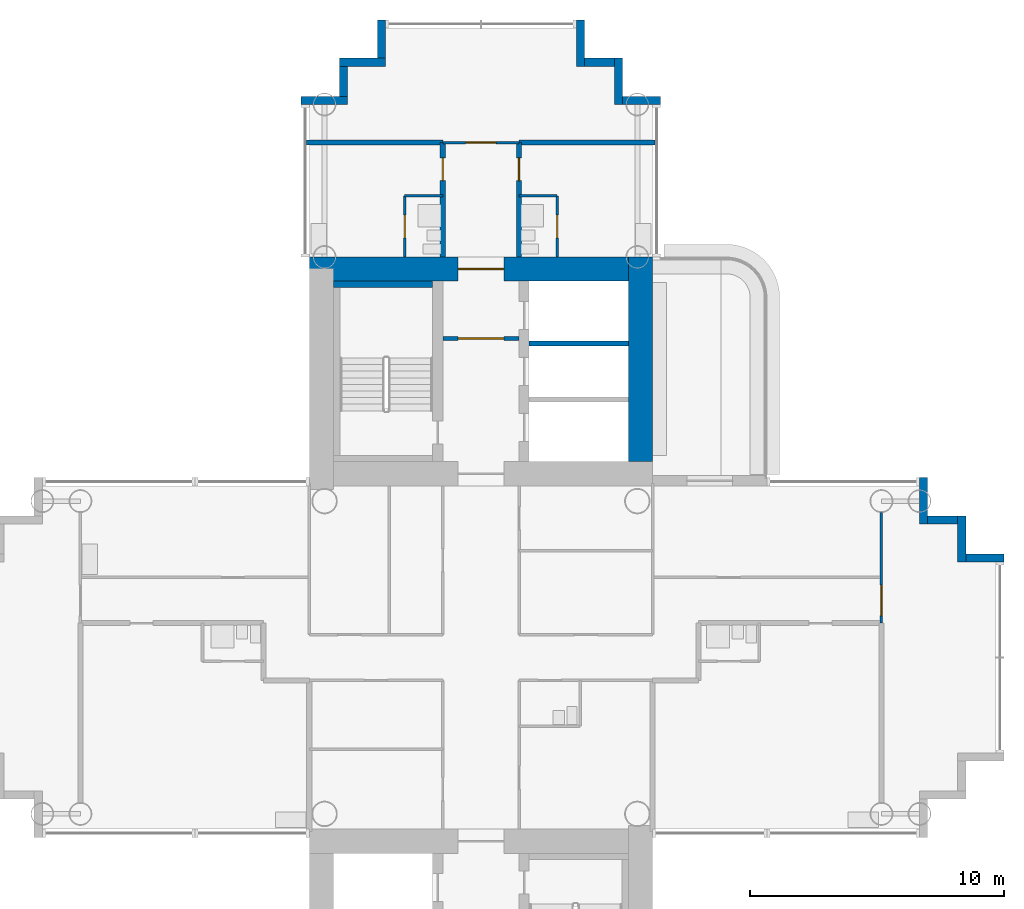
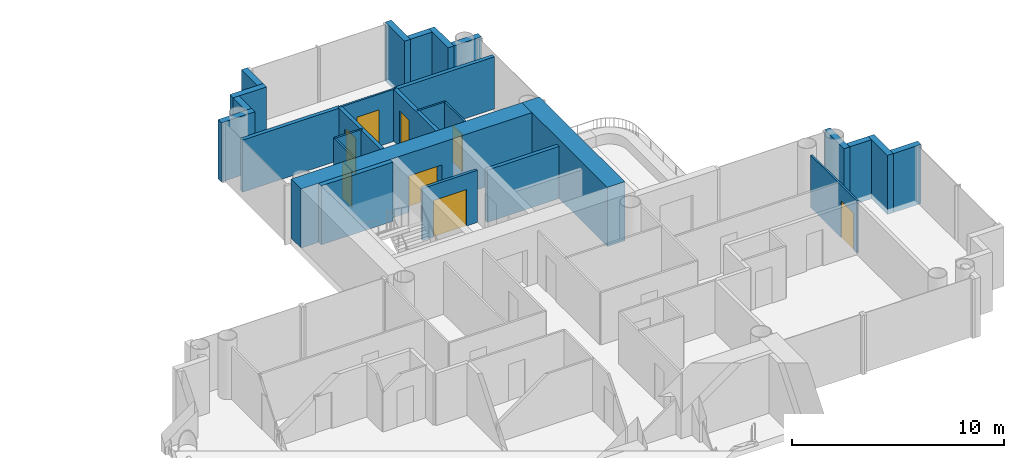
# One storey, part 14 of 21: 27 walls, 8 doors, 8 openings.
"""IFC4 building model written with IfcOpenShell, lengths in metres."""

from ifc_helpers import new_model, si_unit, direction, frame, frame_2d, origin, place, context, subcontext, project, spatial, rectangle, extrude, material, layer, layer_set, type_object, element, fill, save


model = new_model("IFC4")

# Units and contexts
model_context = context("Model", 3, precision=1e-05, world=origin(), true_north=direction((0.0, 1.0)))
body_context = subcontext(model_context, "Body", "Model", "MODEL_VIEW")
ifc_project = project(units=[si_unit("LENGTHUNIT", "METRE"), si_unit("AREAUNIT", "SQUARE_METRE"), si_unit("VOLUMEUNIT", "CUBIC_METRE"), si_unit("PLANEANGLEUNIT", "RADIAN"), si_unit("MASSUNIT", "GRAM", prefix="KILO")], contexts=[model_context])

# Site, building, storey
site_placement = place(None, origin())
site = spatial("IfcSite", under=ifc_project, at=site_placement, CompositionType="ELEMENT")
building_placement = place(site_placement, origin())
building = spatial("IfcBuilding", under=site, at=building_placement, Name="Ipe Terrace Towers", CompositionType="ELEMENT")
storey_placement = place(building_placement, frame((0.0, 0.0, 97.0)))
storey = spatial("IfcBuildingStorey", under=building, at=storey_placement, Name="L26", CompositionType="ELEMENT", Elevation=97.0)

# Walls
ifc_material_1 = material(Name="Concrete C40/50 with buff precast cladding", Category="concrete")
ifc_layer_1 = layer(ifc_material_1, 0.320068359375)
ifc_layer_set_1 = layer_set([ifc_layer_1], Name="BUFF CLADDING WALL 320")
wall_type_1 = type_object("IfcWallType", Name="BUFF CLADDING WALL 320", PredefinedType="STANDARD", material=ifc_layer_set_1)
wall_1_placement = place(storey_placement, frame((56.570068359375, 3.909912109375, -0.300048828125), z_axis=(0.0, 0.0, 1.0), x_axis=(-1.0, 0.0, 0.0)))
element("IfcWall", 1, at=wall_1_placement, inside=storey, type_object=wall_type_1, Name="T2-W-L26-09a wall", PredefinedType="STANDARD", context=body_context, shape_type="SweptSolid", body=[
    extrude(rectangle(XDim=1.5, YDim=0.320068359375, at=frame_2d((0.75, 0.0))), origin(), (0.0, 0.0, 1.0), 3.400146484375),
])
wall_2_placement = place(storey_placement, frame((54.909912109375, 3.75, -0.300048828125), z_axis=(0.0, 0.0, 1.0), x_axis=(0.0, 1.0, 0.0)))
element("IfcWall", 2, at=wall_2_placement, inside=storey, type_object=wall_type_1, Name="T2-W-L26-10a wall", PredefinedType="STANDARD", context=body_context, shape_type="SweptSolid", body=[
    extrude(rectangle(XDim=1.820068359375, YDim=0.320068359375, at=frame_2d((0.91015625, 0.0))), origin(), (0.0, 0.0, 1.0), 3.400146484375),
])
wall_3_placement = place(storey_placement, frame((54.75, 5.409912109375, -0.300048828125), z_axis=(0.0, 0.0, 1.0), x_axis=(-1.0, 0.0, 0.0)))
element("IfcWall", 3, at=wall_3_placement, inside=storey, type_object=wall_type_1, Name="T2-W-L26-11a wall", PredefinedType="STANDARD", context=body_context, shape_type="SweptSolid", body=[
    extrude(rectangle(XDim=1.179931640625, YDim=0.320068359375, at=frame_2d((0.58984375, 0.0))), origin(), (0.0, 0.0, 1.0), 3.400146484375),
])
wall_4_placement = place(storey_placement, frame((53.409912109375, 5.25, -0.300048828125), z_axis=(0.0, 0.0, 1.0), x_axis=(0.0, 1.0, 0.0)))
element("IfcWall", 4, at=wall_4_placement, inside=storey, type_object=wall_type_1, Name="T2-W-L26-12a wall", PredefinedType="STANDARD", context=body_context, shape_type="SweptSolid", body=[
    extrude(rectangle(XDim=1.820068359375, YDim=0.320068359375, at=frame_2d((0.91015625, 0.0))), origin(), (0.0, 0.0, 1.0), 3.400146484375),
])
wall_5_placement = place(storey_placement, frame((43.070068359375, 21.909912109375, -0.300048828125), z_axis=(0.0, 0.0, 1.0), x_axis=(-1.0, 0.0, 0.0)))
element("IfcWall", 5, at=wall_5_placement, inside=storey, type_object=wall_type_1, Name="T2-W-L26-17a wall", PredefinedType="STANDARD", context=body_context, shape_type="SweptSolid", body=[
    extrude(rectangle(XDim=1.5, YDim=0.320068359375, at=frame_2d((0.75, 0.0))), origin(), (0.0, 0.0, 1.0), 3.400146484375),
])
wall_6_placement = place(storey_placement, frame((41.409912109375, 21.75, -0.300048828125), z_axis=(0.0, 0.0, 1.0), x_axis=(0.0, 1.0, 0.0)))
element("IfcWall", 6, at=wall_6_placement, inside=storey, type_object=wall_type_1, Name="T2-W-L26-18a wall", PredefinedType="STANDARD", context=body_context, shape_type="SweptSolid", body=[
    extrude(rectangle(XDim=1.820068359375, YDim=0.320068359375, at=frame_2d((0.91015625, 0.0))), origin(), (0.0, 0.0, 1.0), 3.400146484375),
])
wall_7_placement = place(storey_placement, frame((41.25, 23.409912109375, -0.300048828125), z_axis=(0.0, 0.0, 1.0), x_axis=(-1.0, 0.0, 0.0)))
element("IfcWall", 7, at=wall_7_placement, inside=storey, type_object=wall_type_1, Name="T2-W-L26-19a wall", PredefinedType="STANDARD", context=body_context, shape_type="SweptSolid", body=[
    extrude(rectangle(XDim=1.179931640625, YDim=0.320068359375, at=frame_2d((0.58984375, 0.0))), origin(), (0.0, 0.0, 1.0), 3.400146484375),
])
wall_8_placement = place(storey_placement, frame((39.909912109375, 23.25, -0.300048828125), z_axis=(0.0, 0.0, 1.0), x_axis=(0.0, 1.0, 0.0)))
element("IfcWall", 8, at=wall_8_placement, inside=storey, type_object=wall_type_1, Name="T2-W-L26-20a wall", PredefinedType="STANDARD", context=body_context, shape_type="SweptSolid", body=[
    extrude(rectangle(XDim=1.820068359375, YDim=0.320068359375, at=frame_2d((0.91015625, 0.0))), origin(), (0.0, 0.0, 1.0), 3.400146484375),
])
wall_9_placement = place(storey_placement, frame((32.090087890625, 25.070068359375, -0.300048828125), z_axis=(0.0, 0.0, 1.0), x_axis=(0.0, -1.0, 0.0)))
element("IfcWall", 9, at=wall_9_placement, inside=storey, type_object=wall_type_1, Name="T2-W-L26-22a wall", PredefinedType="STANDARD", context=body_context, shape_type="SweptSolid", body=[
    extrude(rectangle(XDim=1.5, YDim=0.320068359375, at=frame_2d((0.75, 0.0))), origin(), (0.0, 0.0, 1.0), 3.400146484375),
])
wall_10_placement = place(storey_placement, frame((32.25, 23.409912109375, -0.300048828125), z_axis=(0.0, 0.0, 1.0), x_axis=(-1.0, 0.0, 0.0)))
element("IfcWall", 10, at=wall_10_placement, inside=storey, type_object=wall_type_1, Name="T2-W-L26-23a wall", PredefinedType="STANDARD", context=body_context, shape_type="SweptSolid", body=[
    extrude(rectangle(XDim=1.820068359375, YDim=0.320068359375, at=frame_2d((0.91015625, 0.0))), origin(), (0.0, 0.0, 1.0), 3.400146484375),
])
wall_11_placement = place(storey_placement, frame((30.590087890625, 23.25, -0.300048828125), z_axis=(0.0, 0.0, 1.0), x_axis=(0.0, -1.0, 0.0)))
element("IfcWall", 11, at=wall_11_placement, inside=storey, type_object=wall_type_1, Name="T2-W-L26-24a wall", PredefinedType="STANDARD", context=body_context, shape_type="SweptSolid", body=[
    extrude(rectangle(XDim=1.179931640625, YDim=0.320068359375, at=frame_2d((0.58984375, 0.0))), origin(), (0.0, 0.0, 1.0), 3.400146484375),
])
wall_12_placement = place(storey_placement, frame((30.75, 21.909912109375, -0.300048828125), z_axis=(0.0, 0.0, 1.0), x_axis=(-1.0, 0.0, 0.0)))
element("IfcWall", 12, at=wall_12_placement, inside=storey, type_object=wall_type_1, Name="T2-W-L26-25a wall", PredefinedType="STANDARD", context=body_context, shape_type="SweptSolid", body=[
    extrude(rectangle(XDim=1.820068359375, YDim=0.320068359375, at=frame_2d((0.91015625, 0.0))), origin(), (0.0, 0.0, 1.0), 3.400146484375),
])
ifc_material_2 = material(Name="Gypsum board partition", Category="plasterboard")
ifc_layer_2 = layer(ifc_material_2, 0.10009765625)
ifc_layer_set_2 = layer_set([ifc_layer_2], Name="Gypsum board partition 100 mm")
wall_type_2 = type_object("IfcWallType", Name="Gypsum board partition 100 mm", PredefinedType="PARTITIONING", material=ifc_layer_set_2)
for number, where, z_axis, x_axis, name in (
    (13, (39.0, 18.14990234375, 0.0), (0.0, 0.0, 1.0), (-1.0, 0.0, 0.0), "Gypsum board partition T2 L26 W16"),
    (14, (34.5, 18.14990234375, 0.0), (0.0, 0.0, 1.0), (-1.0, 0.0, 0.0), "Gypsum board partition T2 L26 W17"),
):
    element("IfcWall", number, at=place(storey_placement, frame(where, z_axis=z_axis, x_axis=x_axis)), inside=storey, type_object=wall_type_2, Name=name, PredefinedType="PARTITIONING", context=body_context, shape_type="SweptSolid", body=[
        extrude(rectangle(XDim=1.5, YDim=0.10009765625, at=frame_2d((0.75, 0.0))), origin(), (0.0, 0.0, 1.0), 3.0),
    ])

# Wall, opening, door
wall_13_placement = place(storey_placement, frame((37.5, 20.25, 0.0), z_axis=(0.0, 0.0, 1.0), x_axis=(-1.0, 0.0, 0.0)))
wall_13 = element("IfcWall", 15, at=wall_13_placement, inside=storey, type_object=wall_type_2, Name="Gypsum board partition T2 L26 W18", PredefinedType="PARTITIONING", context=body_context, shape_type="SweptSolid", body=[
    extrude(rectangle(XDim=3.0, YDim=0.10009765625, at=frame_2d((1.5, 0.0))), origin(), (0.0, 0.0, 1.0), 3.0),
])
opening_1_placement = place(wall_13_placement, frame((0.89990234375, 0.0, 0.0)))
opening_1 = element("IfcOpeningElement", 16, at=opening_1_placement, cuts=wall_13, Name="Opening T2-Z2E-21", PredefinedType="OPENING", context=body_context, shape_type="SweptSolid", body=[
    extrude(rectangle(XDim=1.199951171875, YDim=2.10009765625, at=frame_2d((0.60009765625, 1.050048828125))), frame((0.0, 0.06005859375, 0.0), z_axis=(0.0, -1.0, 0.0), x_axis=(1.0, 0.0, 0.0)), (0.0, 0.0, 1.0), 0.1201171875),
])
ifc_material_3 = material(Name="Timber door leaf", Category="wood")
door_type_1 = type_object("IfcDoorType", Name="Lounge door 1200 x 2100", OperationType="NOTDEFINED", PredefinedType="DOOR", material=ifc_material_3)
door_1_placement = place(opening_1_placement, origin())
door_1 = element("IfcDoor", 17, at=door_1_placement, inside=storey, type_object=door_type_1, Name="Lounge door T2-Z2E-21", OperationType="SINGLE_SWING_RIGHT", OverallHeight=2.10009765625, OverallWidth=1.199951171875, PredefinedType="DOOR", context=body_context, shape_type="SweptSolid", body=[
    extrude(rectangle(XDim=1.199951171875, YDim=2.10009765625, at=frame_2d((0.60009765625, 1.050048828125))), frame((0.0, 0.02490234375, 0.0), z_axis=(0.0, -1.0, 0.0), x_axis=(1.0, 0.0, 0.0)), (0.0, 0.0, 1.0), 0.050048828125),
])
fill(opening_1, door_1)

wall_14_placement = place(storey_placement, frame((51.75, 1.35009765625, 0.0), z_axis=(0.0, 0.0, 1.0), x_axis=(0.0, 1.0, 0.0)))
wall_14 = element("IfcWall", 18, at=wall_14_placement, inside=storey, type_object=wall_type_2, Name="Gypsum board partition T2 L26 W21", PredefinedType="PARTITIONING", context=body_context, shape_type="SweptSolid", body=[
    extrude(rectangle(XDim=4.349853515625, YDim=0.10009765625, at=frame_2d((2.1748046875, 0.0))), origin(), (0.0, 0.0, 1.0), 3.0),
])
opening_2_placement = place(wall_14_placement, frame((0.300048828125, 0.0, 0.0)))
opening_2 = element("IfcOpeningElement", 19, at=opening_2_placement, cuts=wall_14, Name="Opening T2-Z2E-16", PredefinedType="OPENING", context=body_context, shape_type="SweptSolid", body=[
    extrude(rectangle(XDim=1.199951171875, YDim=2.10009765625, at=frame_2d((0.60009765625, 1.050048828125))), frame((0.0, 0.06005859375, 0.0), z_axis=(0.0, -1.0, 0.0), x_axis=(1.0, 0.0, 0.0)), (0.0, 0.0, 1.0), 0.1201171875),
])
door_2_placement = place(opening_2_placement, origin())
door_2 = element("IfcDoor", 20, at=door_2_placement, inside=storey, type_object=door_type_1, Name="Lounge door T2-Z2E-16", OperationType="SINGLE_SWING_LEFT", OverallHeight=2.10009765625, OverallWidth=1.199951171875, PredefinedType="DOOR", context=body_context, shape_type="SweptSolid", body=[
    extrude(rectangle(XDim=1.199951171875, YDim=2.10009765625, at=frame_2d((0.60009765625, 1.050048828125))), frame((0.0, 0.02490234375, 0.0), z_axis=(0.0, -1.0, 0.0), x_axis=(1.0, 0.0, 0.0)), (0.0, 0.0, 1.0), 0.050048828125),
])
fill(opening_2, door_2)

wall_15_placement = place(storey_placement, frame((39.0, 15.75, 0.0), z_axis=(0.0, 0.0, 1.0), x_axis=(0.0, 1.0, 0.0)))
wall_15 = element("IfcWall", 21, at=wall_15_placement, inside=storey, type_object=wall_type_2, Name="Gypsum board partition T2 L26 W28", PredefinedType="PARTITIONING", context=body_context, shape_type="SweptSolid", body=[
    extrude(rectangle(XDim=2.39990234375, YDim=0.10009765625, at=frame_2d((1.199951171875, 0.0))), origin(), (0.0, 0.0, 1.0), 3.0),
])
opening_3_placement = place(wall_15_placement, frame((0.75, 0.0, 0.0)))
opening_3 = element("IfcOpeningElement", 22, at=opening_3_placement, cuts=wall_15, Name="Opening T2-Z2E-20", PredefinedType="OPENING", context=body_context, shape_type="SweptSolid", body=[
    extrude(rectangle(XDim=0.89990234375, YDim=2.10009765625, at=frame_2d((0.449951171875, 1.050048828125))), frame((0.0, 0.06005859375, 0.0), z_axis=(0.0, -1.0, 0.0), x_axis=(1.0, 0.0, 0.0)), (0.0, 0.0, 1.0), 0.1201171875),
])
ifc_material_4 = material(Name="Timber door leaf", Category="wood")
door_type_2 = type_object("IfcDoorType", Name="Bathroom door 900 x 2100", OperationType="NOTDEFINED", PredefinedType="DOOR", material=ifc_material_4)
door_3_placement = place(opening_3_placement, origin())
door_3 = element("IfcDoor", 23, at=door_3_placement, inside=storey, type_object=door_type_2, Name="Bathroom door T2-Z2E-20", OperationType="SINGLE_SWING_LEFT", OverallHeight=2.10009765625, OverallWidth=0.89990234375, PredefinedType="DOOR", context=body_context, shape_type="SweptSolid", body=[
    extrude(rectangle(XDim=0.89990234375, YDim=2.10009765625, at=frame_2d((0.449951171875, 1.050048828125))), frame((0.0, 0.02490234375, 0.0), z_axis=(0.0, -1.0, 0.0), x_axis=(1.0, 0.0, 0.0)), (0.0, 0.0, 1.0), 0.050048828125),
])
fill(opening_3, door_3)

wall_16_placement = place(storey_placement, frame((33.0, 15.75, 0.0), z_axis=(0.0, 0.0, 1.0), x_axis=(0.0, 1.0, 0.0)))
wall_16 = element("IfcWall", 24, at=wall_16_placement, inside=storey, type_object=wall_type_2, Name="Gypsum board partition T2 L26 W35", PredefinedType="PARTITIONING", context=body_context, shape_type="SweptSolid", body=[
    extrude(rectangle(XDim=2.39990234375, YDim=0.10009765625, at=frame_2d((1.199951171875, 0.0))), origin(), (0.0, 0.0, 1.0), 3.0),
])
opening_4_placement = place(wall_16_placement, frame((0.75, 0.0, 0.0)))
opening_4 = element("IfcOpeningElement", 25, at=opening_4_placement, cuts=wall_16, Name="Opening T2-Z2E-18", PredefinedType="OPENING", context=body_context, shape_type="SweptSolid", body=[
    extrude(rectangle(XDim=0.89990234375, YDim=2.10009765625, at=frame_2d((0.449951171875, 1.050048828125))), frame((0.0, 0.06005859375, 0.0), z_axis=(0.0, -1.0, 0.0), x_axis=(1.0, 0.0, 0.0)), (0.0, 0.0, 1.0), 0.1201171875),
])
door_4_placement = place(opening_4_placement, origin())
door_4 = element("IfcDoor", 26, at=door_4_placement, inside=storey, type_object=door_type_2, Name="Bathroom door T2-Z2E-18", OperationType="SINGLE_SWING_RIGHT", OverallHeight=2.10009765625, OverallWidth=0.89990234375, PredefinedType="DOOR", context=body_context, shape_type="SweptSolid", body=[
    extrude(rectangle(XDim=0.89990234375, YDim=2.10009765625, at=frame_2d((0.449951171875, 1.050048828125))), frame((0.0, 0.02490234375, 0.0), z_axis=(0.0, -1.0, 0.0), x_axis=(1.0, 0.0, 0.0)), (0.0, 0.0, 1.0), 0.050048828125),
])
fill(opening_4, door_4)

ifc_material_5 = material(Name="Gypsum board partition", Category="plasterboard")
ifc_layer_3 = layer(ifc_material_5, 0.14990234375)
ifc_layer_set_3 = layer_set([ifc_layer_3], Name="Gypsum board partition 150 mm")
wall_type_3 = type_object("IfcWallType", Name="Gypsum board partition 150 mm", PredefinedType="PARTITIONING", material=ifc_layer_set_3)
wall_17_placement = place(storey_placement, frame((37.5, 12.550048828125, 0.0), z_axis=(0.0, 0.0, 1.0), x_axis=(-1.0, 0.0, 0.0)))
wall_17 = element("IfcWall", 27, at=wall_17_placement, inside=storey, type_object=wall_type_3, Name="Gypsum board partition T2 L26 t2c1-lobby-wall", PredefinedType="PARTITIONING", context=body_context, shape_type="SweptSolid", body=[
    extrude(rectangle(XDim=3.0, YDim=0.14990234375, at=frame_2d((1.5, 0.0))), origin(), (0.0, 0.0, 1.0), 3.0),
])
opening_5_placement = place(wall_17_placement, frame((0.60009765625, 0.0, 0.0)))
opening_5 = element("IfcOpeningElement", 28, at=opening_5_placement, cuts=wall_17, Name="Opening T2C1-VD", PredefinedType="OPENING", context=body_context, shape_type="SweptSolid", body=[
    extrude(rectangle(XDim=1.800048828125, YDim=2.10009765625, at=frame_2d((0.89990234375, 1.050048828125))), frame((0.0, 0.0849609375, 0.0), z_axis=(0.0, -1.0, 0.0), x_axis=(1.0, 0.0, 0.0)), (0.0, 0.0, 1.0), 0.169921875),
])
ifc_material_6 = material(Name="Fire-rated timber door leaf", Category="wood")
door_type_3 = type_object("IfcDoorType", Name="Lobby door 1800 x 2100 FD60", OperationType="NOTDEFINED", PredefinedType="DOOR", material=ifc_material_6)
door_5_placement = place(opening_5_placement, origin())
door_5 = element("IfcDoor", 29, at=door_5_placement, inside=storey, type_object=door_type_3, Name="Lobby door T2C1-VD", OperationType="SINGLE_SWING_LEFT", OverallHeight=2.10009765625, OverallWidth=1.800048828125, PredefinedType="DOOR", context=body_context, shape_type="SweptSolid", body=[
    extrude(rectangle(XDim=1.800048828125, YDim=2.10009765625, at=frame_2d((0.89990234375, 1.050048828125))), frame((0.0, 0.02490234375, 0.0), z_axis=(0.0, -1.0, 0.0), x_axis=(1.0, 0.0, 0.0)), (0.0, 0.0, 1.0), 0.050048828125),
])
fill(opening_5, door_5)

# Walls
ifc_material_7 = material(Name="Gypsum board party wall", Category="plasterboard")
ifc_layer_4 = layer(ifc_material_7, 0.199951171875)
ifc_layer_set_4 = layer_set([ifc_layer_4], Name="Gypsum board party wall 200 mm")
wall_type_4 = type_object("IfcWallType", Name="Gypsum board party wall 200 mm", PredefinedType="SOLIDWALL", material=ifc_layer_set_4)
wall_18_placement = place(storey_placement, frame((41.800048828125, 12.35009765625, 0.0), z_axis=(0.0, 0.0, 1.0), x_axis=(-1.0, 0.0, 0.0)))
element("IfcWall", 30, at=wall_18_placement, inside=storey, type_object=wall_type_4, Name="Gypsum board party wall T2 L26 t2c1-shaft-div2", PredefinedType="SOLIDWALL", context=body_context, shape_type="SweptSolid", body=[
    extrude(rectangle(XDim=3.900146484375, YDim=0.199951171875, at=frame_2d((1.9501953125, 0.0))), origin(), (0.0, 0.0, 1.0), 3.0),
])
for number, where, z_axis, x_axis, name in (
    (31, (42.85009765625, 20.25, 0.0), (0.0, 0.0, 1.0), (-1.0, 0.0, 0.0), "Gypsum board party wall T2 L26 W19"),
    (32, (34.5, 20.25, 0.0), (0.0, 0.0, 1.0), (-1.0, 0.0, 0.0), "Gypsum board party wall T2 L26 W20"),
):
    element("IfcWall", number, at=place(storey_placement, frame(where, z_axis=z_axis, x_axis=x_axis)), inside=storey, type_object=wall_type_4, Name=name, PredefinedType="SOLIDWALL", context=body_context, shape_type="SweptSolid", body=[
        extrude(rectangle(XDim=5.35009765625, YDim=0.199951171875, at=frame_2d((2.675048828125, 0.0))), origin(), (0.0, 0.0, 1.0), 3.0),
    ])

# Wall, opening, door
wall_19_placement = place(storey_placement, frame((37.5, 15.75, 0.0), z_axis=(0.0, 0.0, 1.0), x_axis=(0.0, 1.0, 0.0)))
wall_19 = element("IfcWall", 33, at=wall_19_placement, inside=storey, type_object=wall_type_4, Name="Gypsum board party wall T2 L26 W31", PredefinedType="SOLIDWALL", context=body_context, shape_type="SweptSolid", body=[
    extrude(rectangle(XDim=4.5, YDim=0.199951171875, at=frame_2d((2.25, 0.0))), origin(), (0.0, 0.0, 1.0), 3.0),
])
opening_6_placement = place(wall_19_placement, frame((3.0, 0.0, 0.0)))
opening_6 = element("IfcOpeningElement", 34, at=opening_6_placement, cuts=wall_19, Name="Opening T2-Z2E-19", PredefinedType="OPENING", context=body_context, shape_type="SweptSolid", body=[
    extrude(rectangle(XDim=0.89990234375, YDim=2.10009765625, at=frame_2d((0.449951171875, 1.050048828125))), frame((0.0, 0.10986328125, 0.0), z_axis=(0.0, -1.0, 0.0), x_axis=(1.0, 0.0, 0.0)), (0.0, 0.0, 1.0), 0.219970703125),
])
ifc_material_8 = material(Name="Fire-rated timber door leaf", Category="wood")
door_type_4 = type_object("IfcDoorType", Name="Flat entrance door 900 x 2100 FD30S", OperationType="NOTDEFINED", PredefinedType="DOOR", material=ifc_material_8)
door_6_placement = place(opening_6_placement, origin())
door_6 = element("IfcDoor", 35, at=door_6_placement, inside=storey, type_object=door_type_4, Name="Flat entrance door T2-Z2E-19", OperationType="SINGLE_SWING_RIGHT", OverallHeight=2.10009765625, OverallWidth=0.89990234375, PredefinedType="DOOR", context=body_context, shape_type="SweptSolid", body=[
    extrude(rectangle(XDim=0.89990234375, YDim=2.10009765625, at=frame_2d((0.449951171875, 1.050048828125))), frame((0.0, 0.02490234375, 0.0), z_axis=(0.0, -1.0, 0.0), x_axis=(1.0, 0.0, 0.0)), (0.0, 0.0, 1.0), 0.050048828125),
])
fill(opening_6, door_6)

wall_20_placement = place(storey_placement, frame((34.5, 15.75, 0.0), z_axis=(0.0, 0.0, 1.0), x_axis=(0.0, 1.0, 0.0)))
wall_20 = element("IfcWall", 36, at=wall_20_placement, inside=storey, type_object=wall_type_4, Name="Gypsum board party wall T2 L26 W34", PredefinedType="SOLIDWALL", context=body_context, shape_type="SweptSolid", body=[
    extrude(rectangle(XDim=4.5, YDim=0.199951171875, at=frame_2d((2.25, 0.0))), origin(), (0.0, 0.0, 1.0), 3.0),
])
opening_7_placement = place(wall_20_placement, frame((3.0, 0.0, 0.0)))
opening_7 = element("IfcOpeningElement", 37, at=opening_7_placement, cuts=wall_20, Name="Opening T2-Z2E-17", PredefinedType="OPENING", context=body_context, shape_type="SweptSolid", body=[
    extrude(rectangle(XDim=0.89990234375, YDim=2.10009765625, at=frame_2d((0.449951171875, 1.050048828125))), frame((0.0, 0.10986328125, 0.0), z_axis=(0.0, -1.0, 0.0), x_axis=(1.0, 0.0, 0.0)), (0.0, 0.0, 1.0), 0.219970703125),
])
door_7_placement = place(opening_7_placement, origin())
door_7 = element("IfcDoor", 38, at=door_7_placement, inside=storey, type_object=door_type_4, Name="Flat entrance door T2-Z2E-17", OperationType="SINGLE_SWING_LEFT", OverallHeight=2.10009765625, OverallWidth=0.89990234375, PredefinedType="DOOR", context=body_context, shape_type="SweptSolid", body=[
    extrude(rectangle(XDim=0.89990234375, YDim=2.10009765625, at=frame_2d((0.449951171875, 1.050048828125))), frame((0.0, 0.02490234375, 0.0), z_axis=(0.0, -1.0, 0.0), x_axis=(1.0, 0.0, 0.0)), (0.0, 0.0, 1.0), 0.050048828125),
])
fill(opening_7, door_7)

# Walls
ifc_material_9 = material(Name="Concrete C50/60", Category="concrete")
ifc_layer_5 = layer(ifc_material_9, 0.25)
ifc_layer_set_5 = layer_set([ifc_layer_5], Name="RW250 CORE INFILL WALL 250 C50-60")
wall_type_5 = type_object("IfcWallType", Name="RW250 CORE INFILL WALL 250 C50-60", PredefinedType="SHEAR", material=ifc_layer_set_5)
wall_21_placement = place(storey_placement, frame((34.10009765625, 14.675048828125, 0.0), z_axis=(0.0, 0.0, 1.0), x_axis=(-1.0, 0.0, 0.0)))
element("IfcWall", 39, at=wall_21_placement, inside=storey, type_object=wall_type_5, Name="Core infill wall T2-C1-far", PredefinedType="SHEAR", context=body_context, shape_type="SweptSolid", body=[
    extrude(rectangle(XDim=3.900146484375, YDim=0.25, at=frame_2d((1.9501953125, 0.0))), origin(), (0.0, 0.0, 1.0), 3.39990234375),
])
ifc_material_10 = material(Name="Concrete C50/60", Category="concrete")
ifc_layer_6 = layer(ifc_material_10, 0.949951171875)
ifc_layer_set_6 = layer_set([ifc_layer_6], Name="RW950 CORE WALL 950 C50-60")
wall_type_6 = type_object("IfcWallType", Name="RW950 CORE WALL 950 C50-60", PredefinedType="SHEAR", material=ifc_layer_set_6)
wall_22_placement = place(storey_placement, frame((42.27490234375, 7.699951171875, 0.0), z_axis=(0.0, 0.0, 1.0), x_axis=(0.0, 1.0, 0.0)))
element("IfcWall", 40, at=wall_22_placement, inside=storey, type_object=wall_type_6, Name="Core wall T2-C1-Z2-W02", PredefinedType="SHEAR", context=body_context, shape_type="SweptSolid", body=[
    extrude(rectangle(XDim=8.050048828125, YDim=0.949951171875, at=frame_2d((4.02490234375, 0.0))), origin(), (0.0, 0.0, 1.0), 3.39990234375),
])

# Wall, opening, door
wall_23_placement = place(storey_placement, frame((41.800048828125, 15.27490234375, 0.0), z_axis=(0.0, 0.0, 1.0), x_axis=(-1.0, 0.0, 0.0)))
wall_23 = element("IfcWall", 41, at=wall_23_placement, inside=storey, type_object=wall_type_6, Name="Core wall T2-C1-Z2-W03", PredefinedType="SHEAR", context=body_context, shape_type="SweptSolid", body=[
    extrude(rectangle(XDim=12.550048828125, YDim=0.949951171875, at=frame_2d((6.27490234375, 0.0))), origin(), (0.0, 0.0, 1.0), 3.39990234375),
])
opening_8_placement = place(wall_23_placement, frame((4.89990234375, 0.0, 0.0)))
opening_8 = element("IfcOpeningElement", 42, at=opening_8_placement, cuts=wall_23, Name="Opening T2C1-FD", PredefinedType="OPENING", context=body_context, shape_type="SweptSolid", body=[
    extrude(rectangle(XDim=1.800048828125, YDim=2.10009765625, at=frame_2d((0.89990234375, 1.050048828125))), frame((0.0, 0.48486328125, 0.0), z_axis=(0.0, -1.0, 0.0), x_axis=(1.0, 0.0, 0.0)), (0.0, 0.0, 1.0), 0.969970703125),
])
ifc_material_11 = material(Name="Fire-rated timber door leaf", Category="wood")
door_type_5 = type_object("IfcDoorType", Name="Fire door 1800 x 2100 FD30S", OperationType="NOTDEFINED", PredefinedType="DOOR", material=ifc_material_11)
door_8_placement = place(opening_8_placement, origin())
door_8 = element("IfcDoor", 43, at=door_8_placement, inside=storey, type_object=door_type_5, Name="Fire door T2C1-FD", OperationType="SINGLE_SWING_LEFT", OverallHeight=2.10009765625, OverallWidth=1.800048828125, PredefinedType="DOOR", context=body_context, shape_type="SweptSolid", body=[
    extrude(rectangle(XDim=1.800048828125, YDim=2.10009765625, at=frame_2d((0.89990234375, 1.050048828125))), frame((0.0, 0.02490234375, 0.0), z_axis=(0.0, -1.0, 0.0), x_axis=(1.0, 0.0, 0.0)), (0.0, 0.0, 1.0), 0.050048828125),
])
fill(opening_8, door_8)

save(model, "model.ifc")
